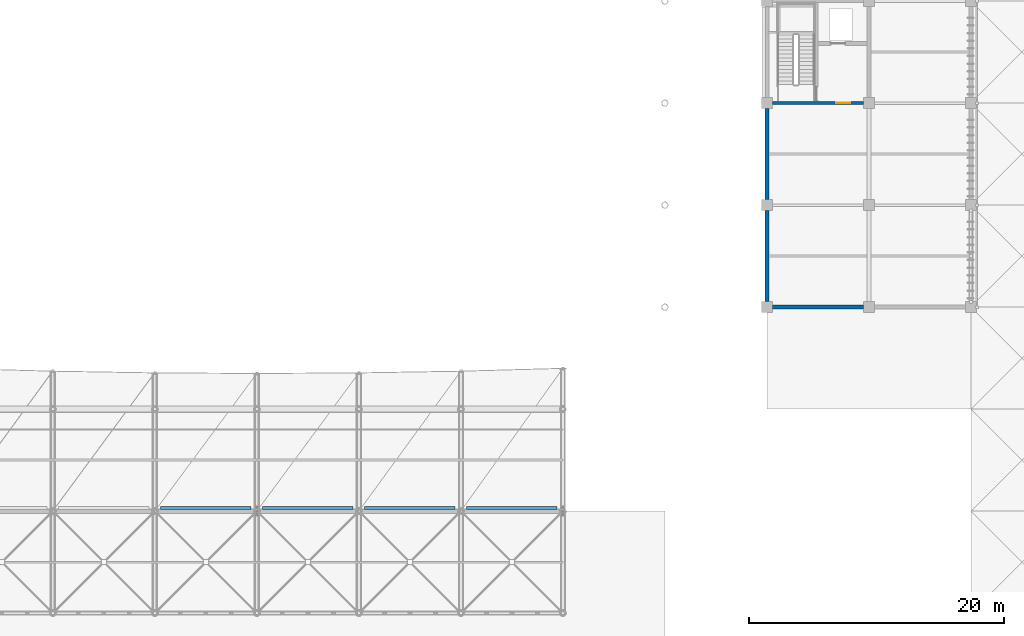
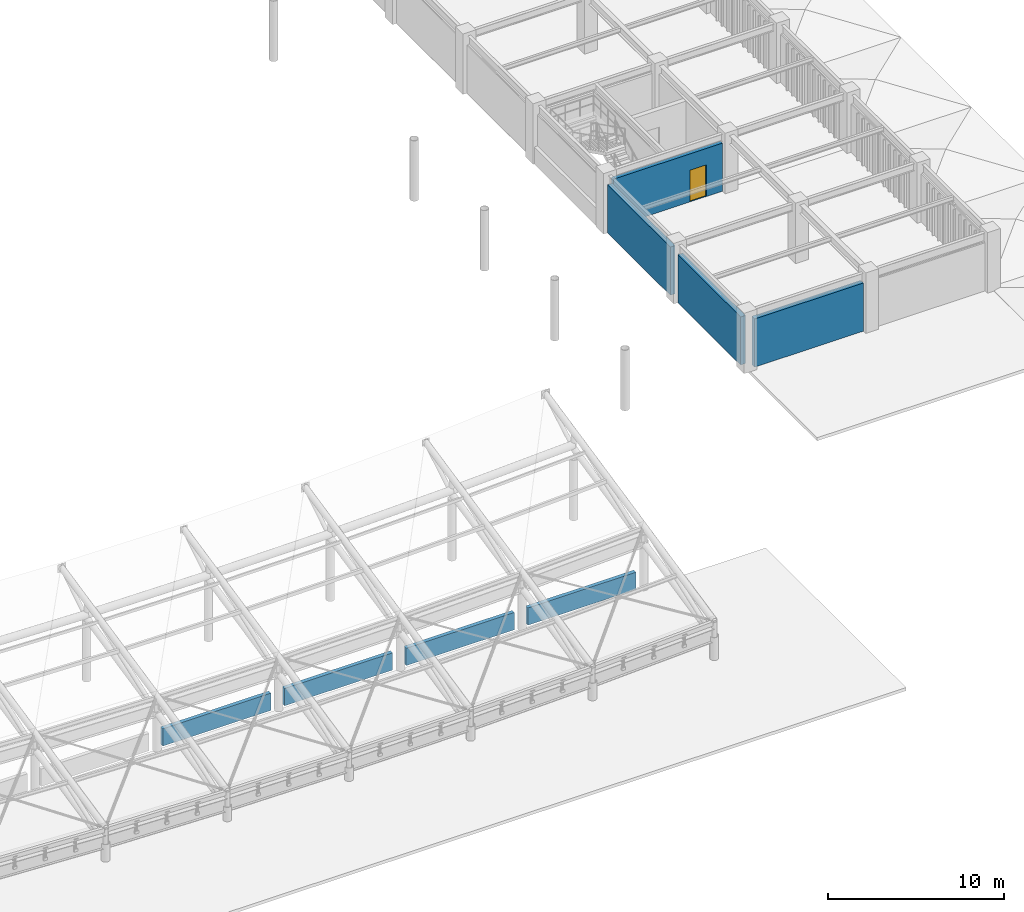
# One storey, part 52 of 78: 8 walls, 1 door, 1 opening.
"""IFC4 building model written with IfcOpenShell, lengths in metres."""

from ifc_helpers import new_model, si_unit, direction, frame, frame_2d, origin, place, context, subcontext, project, spatial, rectangle, extrude, material, layer, layer_set, type_object, element, fill, save


model = new_model("IFC4")

# Units and contexts
model_context = context("Model", 3, precision=1e-05, world=origin(), true_north=direction((0.0, 1.0)))
body_context = subcontext(model_context, "Body", "Model", "MODEL_VIEW")
ifc_project = project(units=[si_unit("LENGTHUNIT", "METRE"), si_unit("AREAUNIT", "SQUARE_METRE"), si_unit("VOLUMEUNIT", "CUBIC_METRE"), si_unit("PLANEANGLEUNIT", "RADIAN"), si_unit("MASSUNIT", "GRAM", prefix="KILO")], contexts=[model_context])

# Site, building, storey
site_placement = place(None, origin())
site = spatial("IfcSite", under=ifc_project, at=site_placement, CompositionType="ELEMENT")
building_placement = place(site_placement, origin())
building = spatial("IfcBuilding", under=site, at=building_placement, Name="Haebicheon Civic Stadium", CompositionType="ELEMENT")
storey_placement = place(building_placement, frame((0.0, 0.0, 18.60009765625)))
storey = spatial("IfcBuildingStorey", under=building, at=storey_placement, Name="L05", CompositionType="ELEMENT", Elevation=18.60009765625)

# Wall, opening, door
ifc_material_1 = material(Name="Concrete C40/50", Category="concrete")
ifc_layer_1 = layer(ifc_material_1, 0.239990234375, Name="Concrete C40/50")
ifc_layer_set_1 = layer_set([ifc_layer_1], Name="Concrete C40/50")
wall_type_1 = type_object("IfcWallType", Name="CW-SHR-240", PredefinedType="SHEAR", material=ifc_layer_set_1)
wall_1_placement = place(storey_placement, frame((144.425048828125, 64.0, 0.0), z_axis=(0.0, 0.0, 1.0), x_axis=(1.0, 0.0, 0.0)))
wall_1 = element("IfcWall", 1, at=wall_1_placement, inside=storey, type_object=wall_type_1, material=ifc_layer_set_1, Name="KC-10 L05 south core shear wall", PredefinedType="SHEAR", context=body_context, shape_type="SweptSolid", body=[
    extrude(rectangle(XDim=7.14990234375, YDim=0.239990234375, at=frame_2d((3.574951171875, 0.0))), origin(), (0.0, 0.0, 1.0), 3.33984375),
])
opening_placement = place(wall_1_placement, frame((5.0, 0.0, 0.0)))
opening = element("IfcOpeningElement", 2, at=opening_placement, cuts=wall_1, Name="Opening D-L05-KC-10-LOB", PredefinedType="OPENING", context=body_context, shape_type="SweptSolid", body=[
    extrude(rectangle(XDim=1.10009765625, YDim=2.199951171875, at=frame_2d((0.550048828125, 1.10009765625))), frame((0.0, 0.1298828125, 0.0), z_axis=(0.0, -1.0, 0.0), x_axis=(1.0, 0.0, 0.0)), (0.0, 0.0, 1.0), 0.260009765625),
])
ifc_material_2 = material(Name="Galvanised painted steel SM355", Category="steel")
door_type = type_object("IfcDoorType", Name="ID-FD-1100", OperationType="NOTDEFINED", PredefinedType="DOOR", material=ifc_material_2)
door_placement = place(opening_placement, origin())
door = element("IfcDoor", 3, at=door_placement, inside=storey, type_object=door_type, material=ifc_material_2, Name="L05 KC-10 lobby fire door", OperationType="SINGLE_SWING_LEFT", OverallHeight=2.199951171875, OverallWidth=1.10009765625, PredefinedType="DOOR", context=body_context, shape_type="SweptSolid", body=[
    extrude(rectangle(XDim=1.10009765625, YDim=2.199951171875, at=frame_2d((0.550048828125, 1.10009765625))), frame((0.0, 0.02490234375, 0.0), z_axis=(0.0, -1.0, 0.0), x_axis=(1.0, 0.0, 0.0)), (0.0, 0.0, 1.0), 0.050048828125),
])
fill(opening, door)

# Walls
ifc_material_3 = material(Name="Precast concrete C40/50", Category="concrete")
ifc_layer_2 = layer(ifc_material_3, 0.320068359375, Name="Precast concrete C40/50")
ifc_layer_set_2 = layer_set([ifc_layer_2], Name="Precast concrete C40/50")
wall_type_2 = type_object("IfcWallType", Name="EW-BM-320", PredefinedType="SOLIDWALL", material=ifc_layer_set_2)
wall_2_placement = place(storey_placement, frame((144.425048828125, 48.0, 0.0), z_axis=(0.0, 0.0, 1.0), x_axis=(1.0, 0.0, 0.0)))
element("IfcWall", 4, at=wall_2_placement, inside=storey, type_object=wall_type_2, material=ifc_layer_set_2, Name="L05 board-marked concrete facade wall 18-06-S", PredefinedType="SOLIDWALL", context=body_context, shape_type="SweptSolid", body=[
    extrude(rectangle(XDim=7.14990234375, YDim=0.320068359375, at=frame_2d((3.574951171875, 0.0))), origin(), (0.0, 0.0, 1.0), 3.349853515625),
])
for number, where, z_axis, x_axis, name in (
    (5, (144.0, 48.425048828125, 0.0), (0.0, 0.0, 1.0), (0.0, 1.0, 0.0), "L05 board-marked concrete facade wall 18-06-W"),
    (6, (144.0, 56.425048828125, 0.0), (0.0, 0.0, 1.0), (0.0, 1.0, 0.0), "L05 board-marked concrete facade wall 18-07-W"),
):
    element("IfcWall", number, at=place(storey_placement, frame(where, z_axis=z_axis, x_axis=x_axis)), inside=storey, type_object=wall_type_2, material=ifc_layer_set_2, Name=name, PredefinedType="SOLIDWALL", context=body_context, shape_type="SweptSolid", body=[
        extrude(rectangle(XDim=7.14990234375, YDim=0.320068359375, at=frame_2d((3.574951171875, 0.0))), origin(), (0.0, 0.0, 1.0), 3.33984375),
    ])
ifc_material_4 = material(Name="Precast concrete C40/50", Category="concrete")
ifc_layer_3 = layer(ifc_material_4, 0.25, Name="Precast concrete C40/50")
ifc_layer_set_3 = layer_set([ifc_layer_3], Name="Precast concrete C40/50")
wall_type_3 = type_object("IfcWallType", Name="EW-PAR-250", PredefinedType="PARAPET", material=ifc_layer_set_3)
for number, where, z_axis, x_axis, name in (
    (7, (96.449951171875, 32.239990234375, 0.0), (0.0, 0.0, 1.0), (1.0, 0.0, 0.0), "TIER-S-U upper gangway parapet 3"),
    (8, (104.449951171875, 32.239990234375, 0.0), (0.0, 0.0, 1.0), (1.0, 0.0, 0.0), "TIER-S-U upper gangway parapet 4"),
    (9, (112.449951171875, 32.239990234375, 0.0), (0.0, 0.0, 1.0), (1.0, 0.0, 0.0), "TIER-S-U upper gangway parapet 5"),
    (10, (120.449951171875, 32.239990234375, 0.0), (0.0, 0.0, 1.0), (1.0, 0.0, 0.0), "TIER-S-U upper gangway parapet 6"),
):
    element("IfcWall", number, at=place(storey_placement, frame(where, z_axis=z_axis, x_axis=x_axis)), inside=storey, type_object=wall_type_3, material=ifc_layer_set_3, Name=name, PredefinedType="PARAPET", context=body_context, shape_type="SweptSolid", body=[
        extrude(rectangle(XDim=7.10009765625, YDim=0.25, at=frame_2d((3.550048828125, 0.0))), origin(), (0.0, 0.0, 1.0), 1.199951171875),
    ])

save(model, "model.ifc")
